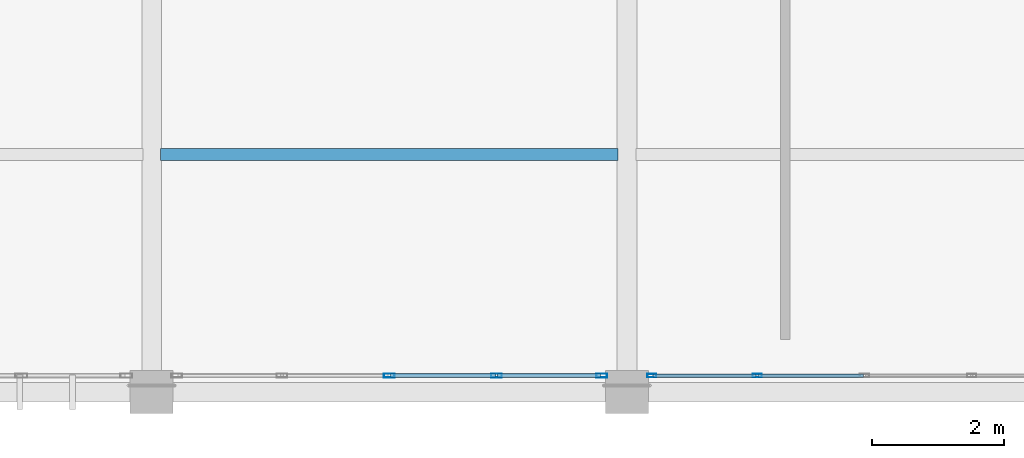
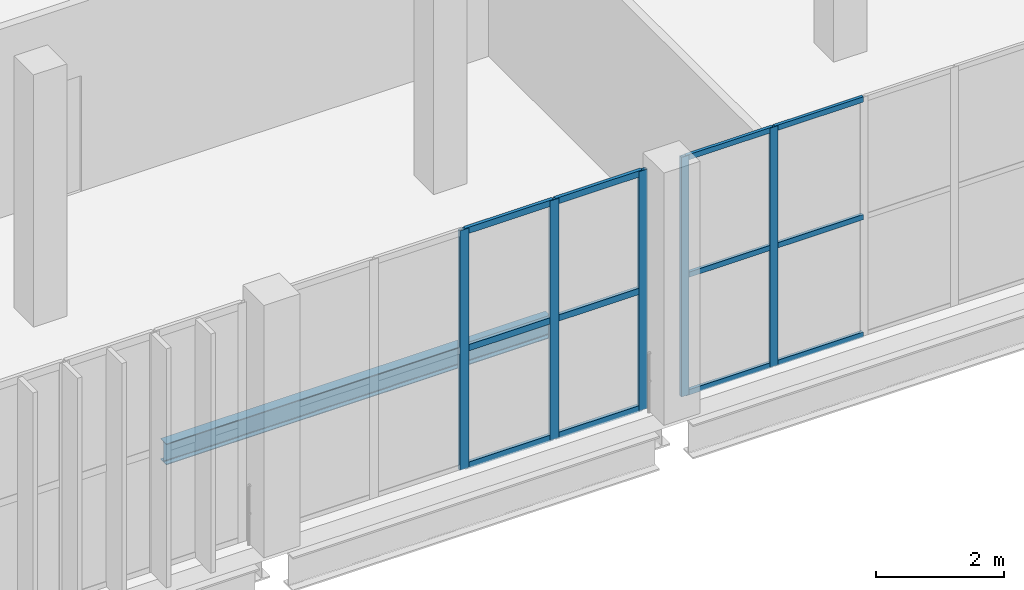
# One storey, part 24 of 105: 17 members, 1 beam, 2 elements without a shape of their own.
"""IFC4 building model written with IfcOpenShell, lengths in metres."""

from ifc_helpers import new_model, si_unit, direction, frame, origin, origin_2d, place, context, subcontext, project, spatial, hollow_rectangle, i_section, extrude, material, material_profile, profile_set, type_object, element, aggregate, save


model = new_model("IFC4")

# Units and contexts
model_context = context("Model", 3, precision=1e-05, world=origin(), true_north=direction((0.0, 1.0)))
body_context = subcontext(model_context, "Body", "Model", "MODEL_VIEW")
ifc_project = project(units=[si_unit("LENGTHUNIT", "METRE"), si_unit("AREAUNIT", "SQUARE_METRE"), si_unit("VOLUMEUNIT", "CUBIC_METRE"), si_unit("PLANEANGLEUNIT", "RADIAN"), si_unit("MASSUNIT", "GRAM", prefix="KILO")], contexts=[model_context])

# Site, building, storey
site_placement = place(None, origin())
site = spatial("IfcSite", under=ifc_project, at=site_placement, CompositionType="ELEMENT")
building_placement = place(site_placement, origin())
building = spatial("IfcBuilding", under=site, at=building_placement, Name="Qandorah Velis Arena", CompositionType="ELEMENT")
storey_placement = place(building_placement, frame((0.0, 0.0, 13.800048828125)))
storey = spatial("IfcBuildingStorey", under=building, at=storey_placement, Name="L03", CompositionType="ELEMENT", Elevation=13.800048828125)

# Curtain wall, members
ifc_material_1 = material(Name="Solar-control low-E double glazing", Category="glass")
curtain_wall_type_1 = type_object("IfcCurtainWallType", Name="ARC-CW-SYS24", PredefinedType="USERDEFINED", material=ifc_material_1)
curtain_wall_1_placement = place(storey_placement, origin())
curtain_wall_1 = element("IfcCurtainWall", 1, at=curtain_wall_1_placement, inside=storey, type_object=curtain_wall_type_1, Name="Unitised curtain wall L03-072", ObjectType="UNITISED CURTAIN WALL", PredefinedType="USERDEFINED")
ifc_material_2 = material(Name="Champagne-bronze anodized aluminium 6063-T6", Category="aluminium")
ifc_material_profile_1 = material_profile(ifc_material_2, hollow_rectangle(XDim=0.054931640625, YDim=0.139892578125, WallThickness=0.0029296875, at=origin_2d()), Name="ALU MULLION 55x140")
ifc_profile_set_1 = profile_set([ifc_material_profile_1], Name="Champagne-bronze anodized aluminium 6063-T6")
member_type_1 = type_object("IfcMemberType", Name="ARC-CWM-140", PredefinedType="MULLION", material=ifc_profile_set_1)
member_1_placement = place(storey_placement, frame((101.177490234375, 0.25, -0.01513671875), z_axis=(0.0, 0.0, 1.0), x_axis=(0.0, 1.0, 0.0)))
member_1 = element("IfcMember", 2, at=member_1_placement, type_object=member_type_1, Name="CW24 mullion 1", PredefinedType="MULLION", context=body_context, shape_type="SweptSolid", body=[
    extrude(hollow_rectangle(XDim=0.054931640625, YDim=0.139892578125, WallThickness=0.0029296875, at=origin_2d()), origin(), (0.0, 0.0, 1.0), 4.56005859375),
])
member_2_placement = place(storey_placement, frame((102.77490234375, 0.25, -0.01513671875), z_axis=(0.0, 0.0, 1.0), x_axis=(0.0, 1.0, 0.0)))
member_2 = element("IfcMember", 3, at=member_2_placement, type_object=member_type_1, Name="CW24 mullion 2", PredefinedType="MULLION", context=body_context, shape_type="SweptSolid", body=[
    extrude(hollow_rectangle(XDim=0.054931640625, YDim=0.139892578125, WallThickness=0.0029296875, at=origin_2d()), origin(), (0.0, 0.0, 1.0), 4.56005859375),
])

curtain_wall_type_2 = type_object("IfcCurtainWallType", Name="ARC-CW-SYS23", PredefinedType="USERDEFINED", material=ifc_material_1)
curtain_wall_2_placement = place(storey_placement, origin())
curtain_wall_2 = element("IfcCurtainWall", 4, at=curtain_wall_2_placement, inside=storey, type_object=curtain_wall_type_2, Name="Unitised curtain wall L03-071", ObjectType="UNITISED CURTAIN WALL", PredefinedType="USERDEFINED")
ifc_material_profile_2 = material_profile(ifc_material_2, hollow_rectangle(XDim=0.06005859375, YDim=0.159912109375, WallThickness=0.00341796875, at=origin_2d()), Name="ALU MULLION 60x160")
ifc_profile_set_2 = profile_set([ifc_material_profile_2], Name="Champagne-bronze anodized aluminium 6063-T6")
member_type_2 = type_object("IfcMemberType", Name="ARC-CWM-160", PredefinedType="MULLION", material=ifc_profile_set_2)
member_3_placement = place(storey_placement, frame((97.199951171875, 0.25, -0.01513671875), z_axis=(0.0, 0.0, 1.0), x_axis=(0.0, 1.0, 0.0)))
member_3 = element("IfcMember", 5, at=member_3_placement, type_object=member_type_2, Name="CW23 mullion 3", PredefinedType="MULLION", context=body_context, shape_type="SweptSolid", body=[
    extrude(hollow_rectangle(XDim=0.06005859375, YDim=0.159912109375, WallThickness=0.00341796875, at=origin_2d()), origin(), (0.0, 0.0, 1.0), 4.56005859375),
])
member_4_placement = place(storey_placement, frame((98.824951171875, 0.25, -0.01513671875), z_axis=(0.0, 0.0, 1.0), x_axis=(0.0, 1.0, 0.0)))
member_4 = element("IfcMember", 6, at=member_4_placement, type_object=member_type_2, Name="CW23 mullion 4", PredefinedType="MULLION", context=body_context, shape_type="SweptSolid", body=[
    extrude(hollow_rectangle(XDim=0.06005859375, YDim=0.159912109375, WallThickness=0.00341796875, at=origin_2d()), origin(), (0.0, 0.0, 1.0), 4.56005859375),
])
member_5_placement = place(storey_placement, frame((100.419921875, 0.25, -0.01513671875), z_axis=(0.0, 0.0, 1.0), x_axis=(0.0, 1.0, 0.0)))
member_5 = element("IfcMember", 7, at=member_5_placement, type_object=member_type_2, Name="CW23 mullion 5", PredefinedType="MULLION", context=body_context, shape_type="SweptSolid", body=[
    extrude(hollow_rectangle(XDim=0.06005859375, YDim=0.159912109375, WallThickness=0.00341796875, at=origin_2d()), origin(), (0.0, 0.0, 1.0), 4.56005859375),
])

# Member
ifc_material_profile_3 = material_profile(ifc_material_2, hollow_rectangle(XDim=0.054931640625, YDim=0.10009765625, WallThickness=0.0029296875, at=origin_2d()), Name="ALU TRANSOM 55x100")
ifc_profile_set_3 = profile_set([ifc_material_profile_3], Name="Champagne-bronze anodized aluminium 6063-T6")
member_type_3 = type_object("IfcMemberType", Name="ARC-CWT-100", PredefinedType="USERDEFINED", material=ifc_profile_set_3)
member_6_placement = place(storey_placement, frame((101.193115234375, 0.25, 0.02734375), z_axis=(1.0, 0.0, 0.0), x_axis=(0.0, 1.0, 0.0)))
member_6 = element("IfcMember", 8, at=member_6_placement, type_object=member_type_3, Name="CW24 transom 1.1", ObjectType="TRANSOM", PredefinedType="USERDEFINED", context=body_context, shape_type="SweptSolid", body=[
    extrude(hollow_rectangle(XDim=0.054931640625, YDim=0.10009765625, WallThickness=0.0029296875, at=origin_2d()), origin(), (0.0, 0.0, 1.0), 1.56640625),
])

member_7_placement = place(storey_placement, frame((101.193115234375, 0.25, 2.264892578125), z_axis=(1.0, 0.0, 0.0), x_axis=(0.0, 1.0, 0.0)))
member_7 = element("IfcMember", 9, at=member_7_placement, type_object=member_type_3, Name="CW24 transom 1.2", ObjectType="TRANSOM", PredefinedType="USERDEFINED", context=body_context, shape_type="SweptSolid", body=[
    extrude(hollow_rectangle(XDim=0.054931640625, YDim=0.10009765625, WallThickness=0.0029296875, at=origin_2d()), origin(), (0.0, 0.0, 1.0), 1.56640625),
])

member_8_placement = place(storey_placement, frame((101.193115234375, 0.25, 4.50244140625), z_axis=(1.0, 0.0, 0.0), x_axis=(0.0, 1.0, 0.0)))
member_8 = element("IfcMember", 10, at=member_8_placement, type_object=member_type_3, Name="CW24 transom 1.3", ObjectType="TRANSOM", PredefinedType="USERDEFINED", context=body_context, shape_type="SweptSolid", body=[
    extrude(hollow_rectangle(XDim=0.054931640625, YDim=0.10009765625, WallThickness=0.0029296875, at=origin_2d()), origin(), (0.0, 0.0, 1.0), 1.56640625),
])

member_9_placement = place(storey_placement, frame((102.79052734375, 0.25, 0.02734375), z_axis=(1.0, 0.0, 0.0), x_axis=(0.0, 1.0, 0.0)))
member_9 = element("IfcMember", 11, at=member_9_placement, type_object=member_type_3, Name="CW24 transom 2.1", ObjectType="TRANSOM", PredefinedType="USERDEFINED", context=body_context, shape_type="SweptSolid", body=[
    extrude(hollow_rectangle(XDim=0.054931640625, YDim=0.10009765625, WallThickness=0.0029296875, at=origin_2d()), origin(), (0.0, 0.0, 1.0), 1.593994140625),
])

member_10_placement = place(storey_placement, frame((102.79052734375, 0.25, 2.264892578125), z_axis=(1.0, 0.0, 0.0), x_axis=(0.0, 1.0, 0.0)))
member_10 = element("IfcMember", 12, at=member_10_placement, type_object=member_type_3, Name="CW24 transom 2.2", ObjectType="TRANSOM", PredefinedType="USERDEFINED", context=body_context, shape_type="SweptSolid", body=[
    extrude(hollow_rectangle(XDim=0.054931640625, YDim=0.10009765625, WallThickness=0.0029296875, at=origin_2d()), origin(), (0.0, 0.0, 1.0), 1.593994140625),
])

member_11_placement = place(storey_placement, frame((102.79052734375, 0.25, 4.50244140625), z_axis=(1.0, 0.0, 0.0), x_axis=(0.0, 1.0, 0.0)))
member_11 = element("IfcMember", 13, at=member_11_placement, type_object=member_type_3, Name="CW24 transom 2.3", ObjectType="TRANSOM", PredefinedType="USERDEFINED", context=body_context, shape_type="SweptSolid", body=[
    extrude(hollow_rectangle(XDim=0.054931640625, YDim=0.10009765625, WallThickness=0.0029296875, at=origin_2d()), origin(), (0.0, 0.0, 1.0), 1.593994140625),
])

aggregate(curtain_wall_1, [member_1, member_2, member_6, member_7, member_8, member_9, member_10, member_11])

ifc_material_profile_4 = material_profile(ifc_material_2, hollow_rectangle(XDim=0.06005859375, YDim=0.1201171875, WallThickness=0.0029296875, at=origin_2d()), Name="ALU TRANSOM 60x120")
ifc_profile_set_4 = profile_set([ifc_material_profile_4], Name="Champagne-bronze anodized aluminium 6063-T6")
member_type_4 = type_object("IfcMemberType", Name="ARC-CWT-120", PredefinedType="USERDEFINED", material=ifc_profile_set_4)
member_12_placement = place(storey_placement, frame((97.218017578125, 0.25, 0.030029296875), z_axis=(1.0, 0.0, 0.0), x_axis=(0.0, 1.0, 0.0)))
member_12 = element("IfcMember", 14, at=member_12_placement, type_object=member_type_4, Name="CW23 transom 3.1", ObjectType="TRANSOM", PredefinedType="USERDEFINED", context=body_context, shape_type="SweptSolid", body=[
    extrude(hollow_rectangle(XDim=0.06005859375, YDim=0.1201171875, WallThickness=0.0029296875, at=origin_2d()), origin(), (0.0, 0.0, 1.0), 1.5888671875),
])

member_13_placement = place(storey_placement, frame((97.218017578125, 0.25, 2.264892578125), z_axis=(1.0, 0.0, 0.0), x_axis=(0.0, 1.0, 0.0)))
member_13 = element("IfcMember", 15, at=member_13_placement, type_object=member_type_4, Name="CW23 transom 3.2", ObjectType="TRANSOM", PredefinedType="USERDEFINED", context=body_context, shape_type="SweptSolid", body=[
    extrude(hollow_rectangle(XDim=0.06005859375, YDim=0.1201171875, WallThickness=0.0029296875, at=origin_2d()), origin(), (0.0, 0.0, 1.0), 1.5888671875),
])

member_14_placement = place(storey_placement, frame((97.218017578125, 0.25, 4.5), z_axis=(1.0, 0.0, 0.0), x_axis=(0.0, 1.0, 0.0)))
member_14 = element("IfcMember", 16, at=member_14_placement, type_object=member_type_4, Name="CW23 transom 3.3", ObjectType="TRANSOM", PredefinedType="USERDEFINED", context=body_context, shape_type="SweptSolid", body=[
    extrude(hollow_rectangle(XDim=0.06005859375, YDim=0.1201171875, WallThickness=0.0029296875, at=origin_2d()), origin(), (0.0, 0.0, 1.0), 1.5888671875),
])

member_15_placement = place(storey_placement, frame((98.843017578125, 0.25, 0.030029296875), z_axis=(1.0, 0.0, 0.0), x_axis=(0.0, 1.0, 0.0)))
member_15 = element("IfcMember", 17, at=member_15_placement, type_object=member_type_4, Name="CW23 transom 4.1", ObjectType="TRANSOM", PredefinedType="USERDEFINED", context=body_context, shape_type="SweptSolid", body=[
    extrude(hollow_rectangle(XDim=0.06005859375, YDim=0.1201171875, WallThickness=0.0029296875, at=origin_2d()), origin(), (0.0, 0.0, 1.0), 1.55908203125),
])

member_16_placement = place(storey_placement, frame((98.843017578125, 0.25, 2.264892578125), z_axis=(1.0, 0.0, 0.0), x_axis=(0.0, 1.0, 0.0)))
member_16 = element("IfcMember", 18, at=member_16_placement, type_object=member_type_4, Name="CW23 transom 4.2", ObjectType="TRANSOM", PredefinedType="USERDEFINED", context=body_context, shape_type="SweptSolid", body=[
    extrude(hollow_rectangle(XDim=0.06005859375, YDim=0.1201171875, WallThickness=0.0029296875, at=origin_2d()), origin(), (0.0, 0.0, 1.0), 1.55908203125),
])

member_17_placement = place(storey_placement, frame((98.843017578125, 0.25, 4.5), z_axis=(1.0, 0.0, 0.0), x_axis=(0.0, 1.0, 0.0)))
member_17 = element("IfcMember", 19, at=member_17_placement, type_object=member_type_4, Name="CW23 transom 4.3", ObjectType="TRANSOM", PredefinedType="USERDEFINED", context=body_context, shape_type="SweptSolid", body=[
    extrude(hollow_rectangle(XDim=0.06005859375, YDim=0.1201171875, WallThickness=0.0029296875, at=origin_2d()), origin(), (0.0, 0.0, 1.0), 1.55908203125),
])

aggregate(curtain_wall_2, [member_3, member_4, member_5, member_12, member_13, member_14, member_15, member_16, member_17])

# Beam
ifc_material_3 = material(Name="Steel S355", Category="steel")
ifc_material_profile_5 = material_profile(ifc_material_3, i_section(OverallWidth=0.179931640625, OverallDepth=0.39990234375, WebThickness=0.008544921875, FlangeThickness=0.013427734375, FilletRadius=0.02099609375, at=origin_2d()), Name="IPE 400")
ifc_profile_set_5 = profile_set([ifc_material_profile_5], Name="Steel S355")
beam_type = type_object("IfcBeamType", Name="STR-JST-IPE400", PredefinedType="JOIST", material=ifc_profile_set_5)
beam_placement = place(storey_placement, frame((93.735107421875, 3.60009765625, -0.52001953125), z_axis=(1.0, 0.0, 0.0), x_axis=(0.0, 1.0, 0.0)))
element("IfcBeam", 20, at=beam_placement, inside=storey, type_object=beam_type, Name="Secondary floor joist L03-067", PredefinedType="JOIST", context=body_context, shape_type="SweptSolid", body=[
    extrude(i_section(OverallWidth=0.179931640625, OverallDepth=0.39990234375, WebThickness=0.008544921875, FlangeThickness=0.013427734375, FilletRadius=0.02099609375, at=origin_2d()), origin(), (0.0, 0.0, 1.0), 6.929931640625),
])

save(model, "model.ifc")
